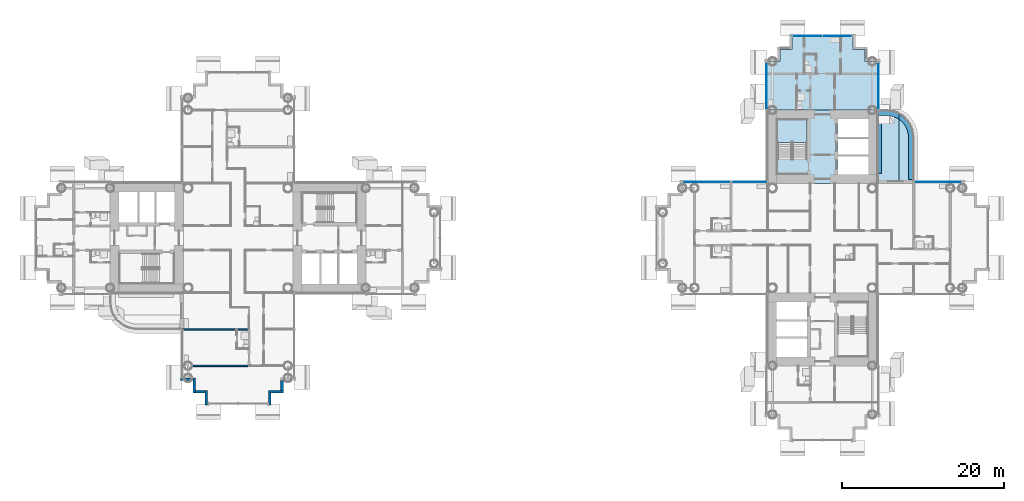
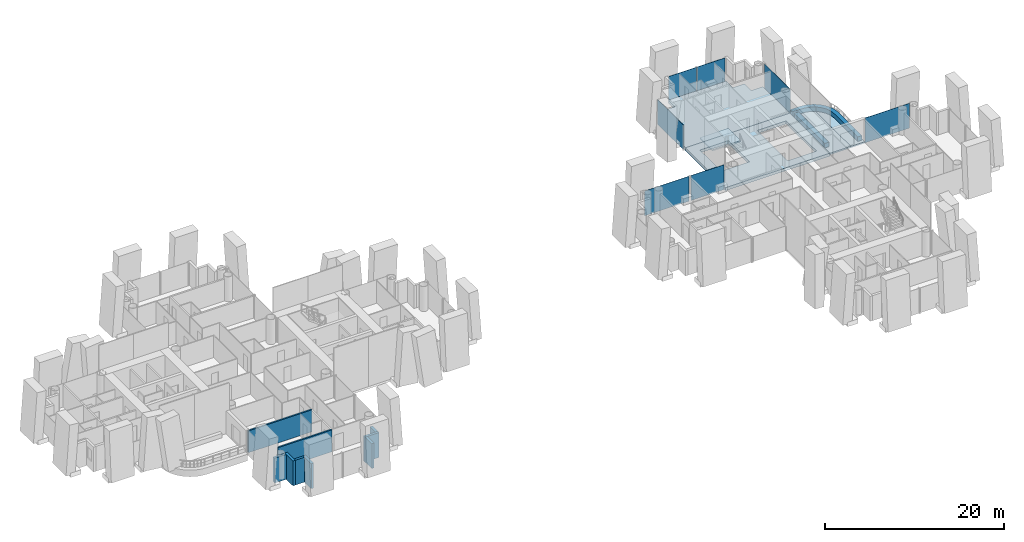
# One storey, part 9 of 24: 9 walls, 8 slabs, 7 plates, 7 elements without a shape of their own.
"""IFC4 building model written with IfcOpenShell, lengths in metres."""

from ifc_helpers import new_model, si_unit, direction, frame, frame_2d, origin, origin_2d, place, context, subcontext, project, spatial, polyline, rectangle, outline, extrude, material, layer, layer_set, type_object, element, aggregate, save


model = new_model("IFC4")

# Units and contexts
model_context = context("Model", 3, precision=1e-05, world=origin(), true_north=direction((0.0, 1.0)))
body_context = subcontext(model_context, "Body", "Model", "MODEL_VIEW")
ifc_project = project(units=[si_unit("LENGTHUNIT", "METRE"), si_unit("AREAUNIT", "SQUARE_METRE"), si_unit("VOLUMEUNIT", "CUBIC_METRE"), si_unit("PLANEANGLEUNIT", "RADIAN"), si_unit("MASSUNIT", "GRAM", prefix="KILO")], contexts=[model_context])

# Site, building, storey
site_placement = place(None, origin())
site = spatial("IfcSite", under=ifc_project, at=site_placement, CompositionType="ELEMENT")
building_placement = place(site_placement, origin())
building = spatial("IfcBuilding", under=site, at=building_placement, Name="Ipe Terrace Towers", CompositionType="ELEMENT")
storey_placement = place(building_placement, frame((0.0, 0.0, 38.10009765625)))
storey = spatial("IfcBuildingStorey", under=building, at=storey_placement, Name="L09", CompositionType="ELEMENT", Elevation=38.10009765625)

# Slabs
ifc_material_1 = material(Name="Concrete C30/37", Category="concrete")
ifc_layer_1 = layer(ifc_material_1, 0.199951171875)
ifc_layer_set_1 = layer_set([ifc_layer_1], Name="BALCONY SLAB 200")
slab_type_1 = type_object("IfcSlabType", Name="BALCONY SLAB 200", PredefinedType="FLOOR", material=ifc_layer_set_1)
slab_1_placement = place(storey_placement, frame((0.0, 0.0, -0.22021484375)))
element("IfcSlab", 1, at=slab_1_placement, inside=storey, type_object=slab_type_1, Name="balcony slab", PredefinedType="FLOOR", context=body_context, shape_type="SweptSolid", body=[
    extrude(outline(polyline([(45.212890625, 15.4990234375), (44.803955078125, 15.637939453125), (44.381103515625, 15.721923828125), (43.949951171875, 15.75), (42.75, 15.75), (42.75, 6.75), (45.449951171875, 6.75), (45.449951171875, 15.382080078125), (45.212890625, 15.4990234375)])), origin(), (0.0, 0.0, 1.0), 0.2001953125),
])
slab_2_placement = place(storey_placement, frame((0.0, 0.0, -0.22021484375)))
element("IfcSlab", 2, at=slab_2_placement, inside=storey, type_object=slab_type_1, Name="balcony slab", PredefinedType="FLOOR", context=body_context, shape_type="SweptSolid", body=[
    extrude(outline(polyline([(47.25, 6.75), (47.25, 12.449951171875), (47.221923828125, 12.881103515625), (47.137939453125, 13.303955078125), (46.9990234375, 13.712890625), (46.80810546875, 14.10009765625), (46.568115234375, 14.458984375), (46.282958984375, 14.782958984375), (45.958984375, 15.068115234375), (45.60009765625, 15.30810546875), (45.449951171875, 15.382080078125), (45.449951171875, 6.75), (47.25, 6.75)])), origin(), (0.0, 0.0, 1.0), 0.2001953125),
])
ifc_material_2 = material(Name="Concrete C30/37", Category="concrete")
ifc_layer_2 = layer(ifc_material_2, 0.39990234375)
ifc_layer_set_2 = layer_set([ifc_layer_2], Name="CORE FLOOR SLAB 400 C30-37")
slab_type_2 = type_object("IfcSlabType", Name="CORE FLOOR SLAB 400 C30-37", PredefinedType="FLOOR", material=ifc_layer_set_2)
slab_3_placement = place(storey_placement, frame((0.0, 0.0, -0.400146484375)))
element("IfcSlab", 3, at=slab_3_placement, inside=storey, type_object=slab_type_2, Name="Core floor T2-C1", PredefinedType="FLOOR", context=body_context, shape_type="SweptSolid", body=[
    extrude(outline(polyline([(29.25, 6.75), (29.25, 15.75), (42.75, 15.75), (42.75, 6.75), (29.25, 6.75)]), holes=[polyline([(41.64990234375, 7.85009765625), (41.64990234375, 14.64990234375), (37.89990234375, 14.64990234375), (37.89990234375, 7.85009765625), (41.64990234375, 7.85009765625)]), polyline([(30.449951171875, 9.800048828125), (34.10009765625, 9.800048828125), (34.10009765625, 14.550048828125), (30.449951171875, 14.550048828125), (30.449951171875, 9.800048828125)])]), origin(), (0.0, 0.0, 1.0), 0.400146484375),
])

# Stair, slab
ifc_material_3 = material(Name="Concrete C30/37", Category="concrete")
stair_type = type_object("IfcStairType", Name="Protected exit stair", PredefinedType="HALF_TURN_STAIR", material=ifc_material_3)
stair_placement = place(storey_placement, origin())
stair = element("IfcStair", 4, at=stair_placement, inside=storey, type_object=stair_type, Name="L09 Exit stair T2-C1", PredefinedType="HALF_TURN_STAIR")
ifc_material_4 = material(Name="Concrete C30/37", Category="concrete")
ifc_layer_3 = layer(ifc_material_4, 0.199951171875)
ifc_layer_set_3 = layer_set([ifc_layer_3], Name="Exit stair landing 200")
slab_type_3 = type_object("IfcSlabType", Name="Exit stair landing 200", PredefinedType="LANDING", material=ifc_layer_set_3)
slab_4_placement = place(storey_placement, frame((0.0, 0.0, 1.5)))
slab_4 = element("IfcSlab", 5, at=slab_4_placement, type_object=slab_type_3, Name="T2-ST1 landing 1", PredefinedType="LANDING", context=body_context, shape_type="SweptSolid", body=[
    extrude(outline(polyline([(34.10009765625, 11.780029296875), (34.10009765625, 14.550048828125), (30.449951171875, 14.550048828125), (30.449951171875, 11.780029296875), (34.10009765625, 11.780029296875)])), origin(), (0.0, 0.0, 1.0), 0.199951171875),
])
aggregate(stair, [slab_4])

# Slabs
ifc_material_5 = material(Name="Concrete C40/50", Category="concrete")
ifc_layer_4 = layer(ifc_material_5, 0.39990234375)
ifc_layer_set_4 = layer_set([ifc_layer_4], Name="FLAT PLATE SLAB 400 C40-50")
slab_type_4 = type_object("IfcSlabType", Name="FLAT PLATE SLAB 400 C40-50", PredefinedType="FLOOR", material=ifc_layer_set_4)
slab_5_placement = place(storey_placement, frame((0.0, 0.0, -0.400146484375)))
element("IfcSlab", 6, at=slab_5_placement, inside=storey, type_object=slab_type_4, Name="Slab T2-FS-Z13", PredefinedType="FLOOR", context=body_context, shape_type="SweptSolid", body=[
    extrude(outline(polyline([(30.75, 21.75), (30.75, 23.25), (32.25, 23.25), (32.25, 24.75), (39.75, 24.75), (39.75, 23.25), (41.25, 23.25), (41.25, 21.75), (42.75, 21.75), (42.75, 15.75), (29.25, 15.75), (29.25, 21.75), (30.75, 21.75)])), origin(), (0.0, 0.0, 1.0), 0.400146484375),
])
ifc_material_6 = material(Name="Concrete C30/37", Category="concrete")
ifc_layer_5 = layer(ifc_material_6, 0.60009765625)
ifc_layer_set_5 = layer_set([ifc_layer_5], Name="PLANTER TROUGH 550 x 600")
slab_type_5 = type_object("IfcSlabType", Name="PLANTER TROUGH 550 x 600", PredefinedType="USERDEFINED", material=ifc_layer_set_5)
slab_6_placement = place(storey_placement, frame((0.0, 0.0, -0.02001953125)))
element("IfcSlab", 7, at=slab_6_placement, inside=storey, type_object=slab_type_5, Name="planter", ObjectType="PLANTER", PredefinedType="USERDEFINED", context=body_context, shape_type="SweptSolid", body=[
    extrude(outline(polyline([(44.633056640625, 14.9990234375), (44.9599609375, 14.887939453125), (45.26904296875, 14.735107421875), (45.449951171875, 14.614013671875), (45.449951171875, 15.259033203125), (45.18701171875, 15.388916015625), (45.154052734375, 15.403076171875), (44.79296875, 15.52490234375), (44.758056640625, 15.534912109375), (44.384033203125, 15.60888671875), (44.347900390625, 15.614013671875), (43.955078125, 15.638916015625), (43.93701171875, 15.639892578125), (42.75, 15.639892578125), (42.75, 15.090087890625), (43.927978515625, 15.090087890625), (44.2939453125, 15.06591796875), (44.633056640625, 14.9990234375)])), origin(), (0.0, 0.0, 1.0), 0.599853515625),
])
slab_7_placement = place(storey_placement, frame((0.0, 0.0, -0.02001953125)))
element("IfcSlab", 8, at=slab_7_placement, inside=storey, type_object=slab_type_5, Name="planter", ObjectType="PLANTER", PredefinedType="USERDEFINED", context=body_context, shape_type="SweptSolid", body=[
    extrude(outline(polyline([(45.555908203125, 14.54296875), (45.81591796875, 14.31591796875), (46.04296875, 14.055908203125), (46.235107421875, 13.76904296875), (46.387939453125, 13.4599609375), (46.4990234375, 13.133056640625), (46.56591796875, 12.7939453125), (46.590087890625, 12.427978515625), (46.590087890625, 7.199951171875), (47.139892578125, 7.199951171875), (47.139892578125, 12.43701171875), (47.138916015625, 12.455078125), (47.114013671875, 12.847900390625), (47.10888671875, 12.884033203125), (47.034912109375, 13.258056640625), (47.02490234375, 13.29296875), (46.903076171875, 13.654052734375), (46.888916015625, 13.68701171875), (46.719970703125, 14.029052734375), (46.701904296875, 14.06005859375), (46.490966796875, 14.376953125), (46.468994140625, 14.405029296875), (46.217041015625, 14.69189453125), (46.19189453125, 14.717041015625), (45.905029296875, 14.968994140625), (45.876953125, 14.990966796875), (45.56005859375, 15.201904296875), (45.529052734375, 15.219970703125), (45.449951171875, 15.259033203125), (45.449951171875, 14.614013671875), (45.555908203125, 14.54296875)])), origin(), (0.0, 0.0, 1.0), 0.599853515625),
])
slab_8_placement = place(storey_placement, frame((0.0, 0.0, -0.02001953125)))
element("IfcSlab", 9, at=slab_8_placement, inside=storey, type_object=slab_type_5, Name="planter", ObjectType="PLANTER", PredefinedType="USERDEFINED", context=body_context, shape_type="SweptSolid", body=[
    extrude(outline(polyline([(42.75, 7.949951171875), (43.300048828125, 7.949951171875), (43.300048828125, 14.75), (42.75, 14.75), (42.75, 7.949951171875)])), origin(), (0.0, 0.0, 1.0), 0.599853515625),
])

# Curtain wall, plate
ifc_material_7 = material(Name="Aluminium alloy 6063-T6", Category="aluminium")
ifc_layer_6 = layer(ifc_material_7, 0.320068359375)
ifc_layer_set_6 = layer_set([ifc_layer_6], Name="TOWER UNITISED CURTAIN WALL")
curtain_wall_type = type_object("IfcCurtainWallType", Name="TOWER UNITISED CURTAIN WALL", PredefinedType="NOTDEFINED", material=ifc_layer_set_6)
curtain_wall_1_placement = place(storey_placement, origin())
curtain_wall_1 = element("IfcCurtainWall", 10, at=curtain_wall_1_placement, inside=storey, type_object=curtain_wall_type, Name="T2-CW-L09-17a curtain wall", PredefinedType="NOTDEFINED")
ifc_material_8 = material(Name="Glass, clear laminated", Category="glass")
ifc_layer_7 = layer(ifc_material_8, 0.031982421875)
ifc_layer_set_7 = layer_set([ifc_layer_7], Name="TOWER UNITISED GLASS PANEL 32")
plate_type = type_object("IfcPlateType", Name="TOWER UNITISED GLASS PANEL 32", PredefinedType="CURTAIN_PANEL", material=ifc_layer_set_7)
plate_1_placement = place(storey_placement, frame((50.25, 6.909912109375, -0.300048828125), z_axis=(0.0, 0.0, 1.0), x_axis=(-1.0, 0.0, 0.0)))
plate_1 = element("IfcPlate", 11, at=plate_1_placement, type_object=plate_type, Name="T2-CW-L09-17a panel 1", PredefinedType="CURTAIN_PANEL", context=body_context, shape_type="SweptSolid", body=[
    extrude(rectangle(XDim=5.760009765625, YDim=0.031982421875, at=origin_2d()), origin(), (0.0, 0.0, 1.0), 3.39990234375),
])
aggregate(curtain_wall_1, [plate_1])

curtain_wall_2_placement = place(storey_placement, origin())
curtain_wall_2 = element("IfcCurtainWall", 12, at=curtain_wall_2_placement, inside=storey, type_object=curtain_wall_type, Name="T2-CW-L09-20b curtain wall", PredefinedType="NOTDEFINED")
plate_2_placement = place(storey_placement, frame((42.909912109375, 18.75048828125, -0.300048828125), z_axis=(0.0, 0.0, 1.0), x_axis=(0.0, 1.0, 0.0)))
plate_2 = element("IfcPlate", 13, at=plate_2_placement, type_object=plate_type, Name="T2-CW-L09-20b panel 1", PredefinedType="CURTAIN_PANEL", context=body_context, shape_type="SweptSolid", body=[
    extrude(rectangle(XDim=5.759033203125, YDim=0.031982421875, at=origin_2d()), origin(), (0.0, 0.0, 1.0), 3.39990234375),
])
aggregate(curtain_wall_2, [plate_2])

# Curtain wall, plates
curtain_wall_3_placement = place(storey_placement, origin())
curtain_wall_3 = element("IfcCurtainWall", 14, at=curtain_wall_3_placement, inside=storey, type_object=curtain_wall_type, Name="T2-CW-L09-25a curtain wall", PredefinedType="NOTDEFINED")
plate_3_placement = place(storey_placement, frame((37.831298828125, 24.909912109375, -0.300048828125), z_axis=(0.0, 0.0, 1.0), x_axis=(-1.0, 0.0, 0.0)))
plate_3 = element("IfcPlate", 15, at=plate_3_placement, type_object=plate_type, Name="T2-CW-L09-25a panel 1", PredefinedType="CURTAIN_PANEL", context=body_context, shape_type="SweptSolid", body=[
    extrude(rectangle(XDim=3.597412109375, YDim=0.031982421875, at=origin_2d()), origin(), (0.0, 0.0, 1.0), 3.39990234375),
])
plate_4_placement = place(storey_placement, frame((34.168701171875, 24.909912109375, -0.300048828125), z_axis=(0.0, 0.0, 1.0), x_axis=(-1.0, 0.0, 0.0)))
plate_4 = element("IfcPlate", 16, at=plate_4_placement, type_object=plate_type, Name="T2-CW-L09-25a panel 2", PredefinedType="CURTAIN_PANEL", context=body_context, shape_type="SweptSolid", body=[
    extrude(rectangle(XDim=3.597412109375, YDim=0.031982421875, at=origin_2d()), origin(), (0.0, 0.0, 1.0), 3.39990234375),
])
aggregate(curtain_wall_3, [plate_3, plate_4])

# Curtain wall, plate
curtain_wall_4_placement = place(storey_placement, origin())
curtain_wall_4 = element("IfcCurtainWall", 17, at=curtain_wall_4_placement, inside=storey, type_object=curtain_wall_type, Name="T2-CW-L09-30a curtain wall", PredefinedType="NOTDEFINED")
plate_5_placement = place(storey_placement, frame((29.090087890625, 18.75048828125, -0.300048828125), z_axis=(0.0, 0.0, 1.0), x_axis=(0.0, -1.0, 0.0)))
plate_5 = element("IfcPlate", 18, at=plate_5_placement, type_object=plate_type, Name="T2-CW-L09-30a panel 1", PredefinedType="CURTAIN_PANEL", context=body_context, shape_type="SweptSolid", body=[
    extrude(rectangle(XDim=5.759033203125, YDim=0.031982421875, at=origin_2d()), origin(), (0.0, 0.0, 1.0), 3.39990234375),
])
aggregate(curtain_wall_4, [plate_5])

curtain_wall_5_placement = place(storey_placement, origin())
curtain_wall_5 = element("IfcCurtainWall", 19, at=curtain_wall_5_placement, inside=storey, type_object=curtain_wall_type, Name="T2-CW-L09-32a curtain wall", PredefinedType="NOTDEFINED")
plate_6_placement = place(storey_placement, frame((27.0, 6.909912109375, -0.300048828125), z_axis=(0.0, 0.0, 1.0), x_axis=(-1.0, 0.0, 0.0)))
plate_6 = element("IfcPlate", 20, at=plate_6_placement, type_object=plate_type, Name="T2-CW-L09-32a panel 1", PredefinedType="CURTAIN_PANEL", context=body_context, shape_type="SweptSolid", body=[
    extrude(rectangle(XDim=4.260009765625, YDim=0.031982421875, at=origin_2d()), origin(), (0.0, 0.0, 1.0), 3.39990234375),
])
aggregate(curtain_wall_5, [plate_6])

curtain_wall_6_placement = place(storey_placement, origin())
curtain_wall_6 = element("IfcCurtainWall", 21, at=curtain_wall_6_placement, inside=storey, type_object=curtain_wall_type, Name="T2-CW-L09-33a curtain wall", PredefinedType="NOTDEFINED")
plate_7_placement = place(storey_placement, frame((21.75, 6.909912109375, -0.300048828125), z_axis=(0.0, 0.0, 1.0), x_axis=(-1.0, 0.0, 0.0)))
plate_7 = element("IfcPlate", 22, at=plate_7_placement, type_object=plate_type, Name="T2-CW-L09-33a panel 1", PredefinedType="CURTAIN_PANEL", context=body_context, shape_type="SweptSolid", body=[
    extrude(rectangle(XDim=5.760009765625, YDim=0.031982421875, at=origin_2d()), origin(), (0.0, 0.0, 1.0), 3.39990234375),
])
aggregate(curtain_wall_6, [plate_7])

# Walls
ifc_material_9 = material(Name="Concrete C40/50 with buff precast cladding", Category="concrete")
ifc_layer_8 = layer(ifc_material_9, 0.320068359375)
ifc_layer_set_8 = layer_set([ifc_layer_8], Name="BUFF CLADDING WALL 320")
wall_type_1 = type_object("IfcWallType", Name="BUFF CLADDING WALL 320", PredefinedType="STANDARD", material=ifc_layer_set_8)
wall_1_placement = place(storey_placement, frame((-43.070068359375, -17.409912109375, -0.300048828125), z_axis=(0.0, 0.0, 1.0), x_axis=(1.0, 0.0, 0.0)))
element("IfcWall", 23, at=wall_1_placement, inside=storey, type_object=wall_type_1, Name="T1-W-L09-08a wall", PredefinedType="STANDARD", context=body_context, shape_type="SweptSolid", body=[
    extrude(rectangle(XDim=1.5, YDim=0.320068359375, at=frame_2d((0.75, 0.0))), origin(), (0.0, 0.0, 1.0), 3.39990234375),
])
wall_2_placement = place(storey_placement, frame((-41.409912109375, -17.25, -0.300048828125), z_axis=(0.0, 0.0, 1.0), x_axis=(0.0, -1.0, 0.0)))
element("IfcWall", 24, at=wall_2_placement, inside=storey, type_object=wall_type_1, Name="T1-W-L09-09a wall", PredefinedType="STANDARD", context=body_context, shape_type="SweptSolid", body=[
    extrude(rectangle(XDim=1.820068359375, YDim=0.320068359375, at=frame_2d((0.91015625, 0.0))), origin(), (0.0, 0.0, 1.0), 3.39990234375),
])
wall_3_placement = place(storey_placement, frame((-41.25, -18.909912109375, -0.300048828125), z_axis=(0.0, 0.0, 1.0), x_axis=(1.0, 0.0, 0.0)))
element("IfcWall", 25, at=wall_3_placement, inside=storey, type_object=wall_type_1, Name="T1-W-L09-10a wall", PredefinedType="STANDARD", context=body_context, shape_type="SweptSolid", body=[
    extrude(rectangle(XDim=1.179931640625, YDim=0.320068359375, at=frame_2d((0.58984375, 0.0))), origin(), (0.0, 0.0, 1.0), 3.39990234375),
])
wall_4_placement = place(storey_placement, frame((-39.909912109375, -18.75, -0.300048828125), z_axis=(0.0, 0.0, 1.0), x_axis=(0.0, -1.0, 0.0)))
element("IfcWall", 26, at=wall_4_placement, inside=storey, type_object=wall_type_1, Name="T1-W-L09-11a wall", PredefinedType="STANDARD", context=body_context, shape_type="SweptSolid", body=[
    extrude(rectangle(XDim=1.820068359375, YDim=0.320068359375, at=frame_2d((0.91015625, 0.0))), origin(), (0.0, 0.0, 1.0), 3.39990234375),
])
wall_5_placement = place(storey_placement, frame((-32.090087890625, -20.570068359375, -0.300048828125), z_axis=(0.0, 0.0, 1.0), x_axis=(0.0, 1.0, 0.0)))
element("IfcWall", 27, at=wall_5_placement, inside=storey, type_object=wall_type_1, Name="T1-W-L09-13a wall", PredefinedType="STANDARD", context=body_context, shape_type="SweptSolid", body=[
    extrude(rectangle(XDim=1.5, YDim=0.320068359375, at=frame_2d((0.75, 0.0))), origin(), (0.0, 0.0, 1.0), 3.39990234375),
])
wall_6_placement = place(storey_placement, frame((-32.25, -18.909912109375, -0.300048828125), z_axis=(0.0, 0.0, 1.0), x_axis=(1.0, 0.0, 0.0)))
element("IfcWall", 28, at=wall_6_placement, inside=storey, type_object=wall_type_1, Name="T1-W-L09-14a wall", PredefinedType="STANDARD", context=body_context, shape_type="SweptSolid", body=[
    extrude(rectangle(XDim=1.820068359375, YDim=0.320068359375, at=frame_2d((0.91015625, 0.0))), origin(), (0.0, 0.0, 1.0), 3.39990234375),
])
wall_7_placement = place(storey_placement, frame((-30.590087890625, -18.75, -0.300048828125), z_axis=(0.0, 0.0, 1.0), x_axis=(0.0, 1.0, 0.0)))
element("IfcWall", 29, at=wall_7_placement, inside=storey, type_object=wall_type_1, Name="T1-W-L09-15a wall", PredefinedType="STANDARD", context=body_context, shape_type="SweptSolid", body=[
    extrude(rectangle(XDim=1.179931640625, YDim=0.320068359375, at=frame_2d((0.58984375, 0.0))), origin(), (0.0, 0.0, 1.0), 3.39990234375),
])
ifc_material_10 = material(Name="Gypsum board party wall", Category="plasterboard")
ifc_layer_9 = layer(ifc_material_10, 0.199951171875)
ifc_layer_set_9 = layer_set([ifc_layer_9], Name="Gypsum board party wall 200 mm")
wall_type_2 = type_object("IfcWallType", Name="Gypsum board party wall 200 mm", PredefinedType="SOLIDWALL", material=ifc_layer_set_9)
wall_8_placement = place(storey_placement, frame((-41.64990234375, -15.75, 0.0), z_axis=(0.0, 0.0, 1.0), x_axis=(1.0, 0.0, 0.0)))
element("IfcWall", 30, at=wall_8_placement, inside=storey, type_object=wall_type_2, Name="Gypsum board party wall T1 L09 W22", PredefinedType="SOLIDWALL", context=body_context, shape_type="SweptSolid", body=[
    extrude(rectangle(XDim=7.0, YDim=0.199951171875, at=frame_2d((3.5, 0.0))), origin(), (0.0, 0.0, 1.0), 3.0),
])
wall_9_placement = place(storey_placement, frame((-42.85009765625, -11.25, 0.0), z_axis=(0.0, 0.0, 1.0), x_axis=(1.0, 0.0, 0.0)))
element("IfcWall", 31, at=wall_9_placement, inside=storey, type_object=wall_type_2, Name="Gypsum board party wall T1 L09 W25", PredefinedType="SOLIDWALL", context=body_context, shape_type="SweptSolid", body=[
    extrude(rectangle(XDim=8.2001953125, YDim=0.199951171875, at=frame_2d((4.10009765625, 0.0))), origin(), (0.0, 0.0, 1.0), 3.0),
])

save(model, "model.ifc")
